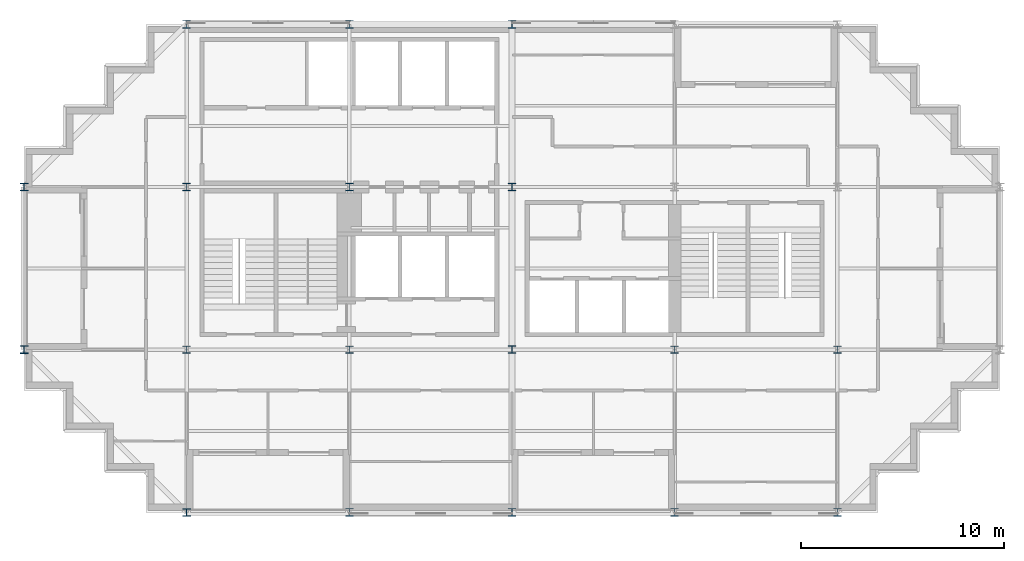
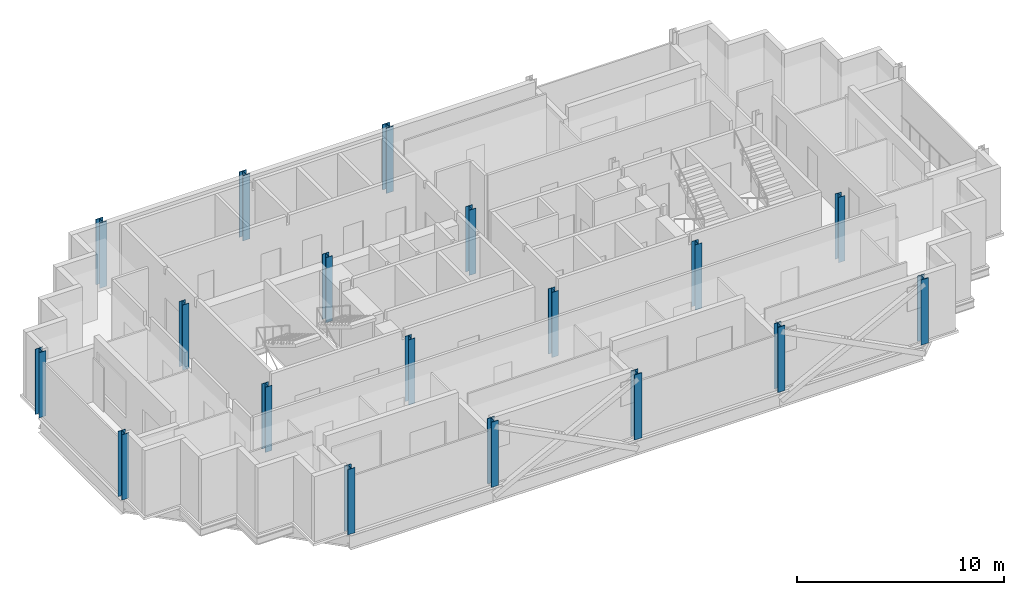
# One storey, part 1 of 9: 18 columns.
"""IFC4 building model written with IfcOpenShell, lengths in metres."""

from ifc_helpers import new_model, si_unit, direction, frame, origin, origin_2d, place, context, subcontext, project, spatial, i_section, extrude, material, material_profile, profile_set, type_object, element, save


model = new_model("IFC4")

# Units and contexts
model_context = context("Model", 3, precision=1e-05, world=origin(), true_north=direction((0.0, 1.0)))
body_context = subcontext(model_context, "Body", "Model", "MODEL_VIEW")
ifc_project = project(units=[si_unit("LENGTHUNIT", "METRE"), si_unit("AREAUNIT", "SQUARE_METRE"), si_unit("VOLUMEUNIT", "CUBIC_METRE"), si_unit("PLANEANGLEUNIT", "RADIAN"), si_unit("MASSUNIT", "GRAM", prefix="KILO")], contexts=[model_context])

# Site, building, storey
site_placement = place(None, origin())
site = spatial("IfcSite", under=ifc_project, at=site_placement, CompositionType="ELEMENT")
building_placement = place(site_placement, origin())
building = spatial("IfcBuilding", under=site, at=building_placement, Name="Immortelle Media Tower", CompositionType="ELEMENT")
storey_placement = place(building_placement, frame((0.0, 0.0, 247.0)))
storey = spatial("IfcBuildingStorey", under=building, at=storey_placement, Name="L53", CompositionType="ELEMENT", Elevation=247.0)

# Columns
ifc_material = material(Name="Steel ASTM A992 Gr 50", Category="steel")
ifc_material_profile_1 = material_profile(ifc_material, i_section(OverallWidth=0.373046875, OverallDepth=0.367919921875, WebThickness=0.014892578125, FlangeThickness=0.02392578125, at=origin_2d()), Name="W14x120")
ifc_profile_set_1 = profile_set([ifc_material_profile_1], Name="Steel ASTM A992 Gr 50")
column_type_1 = type_object("IfcColumnType", Name="W14x120 column", PredefinedType="COLUMN", material=ifc_profile_set_1)
for number, where, z_axis, x_axis, name in (
    (1, (24.0, 8.0, 0.0), (0.0, 0.0, 1.0), (1.0, 0.0, 0.0), "Column 4/B"),
    (2, (24.0, 16.0, 0.0), (0.0, 0.0, 1.0), (1.0, 0.0, 0.0), "Column 4/C"),
):
    element("IfcColumn", number, at=place(storey_placement, frame(where, z_axis=z_axis, x_axis=x_axis)), inside=storey, type_object=column_type_1, Name=name, PredefinedType="COLUMN", context=body_context, shape_type="SweptSolid", body=[
        extrude(i_section(OverallWidth=0.373046875, OverallDepth=0.367919921875, WebThickness=0.014892578125, FlangeThickness=0.02392578125, at=origin_2d()), origin(), (0.0, 0.0, 1.0), 3.85009765625),
    ])
ifc_material_profile_2 = material_profile(ifc_material, i_section(OverallWidth=0.39404296875, OverallDepth=0.3759765625, WebThickness=0.01708984375, FlangeThickness=0.028076171875, at=origin_2d()), Name="W14x145")
ifc_profile_set_2 = profile_set([ifc_material_profile_2], Name="Steel ASTM A992 Gr 50")
column_type_2 = type_object("IfcColumnType", Name="W14x145 column", PredefinedType="COLUMN", material=ifc_profile_set_2)
for number, where, z_axis, x_axis, name in (
    (3, (0.0, 8.0, 0.0), (0.0, 0.0, 1.0), (1.0, 0.0, 0.0), "Column 1/B"),
    (4, (0.0, 16.0, 0.0), (0.0, 0.0, 1.0), (1.0, 0.0, 0.0), "Column 1/C"),
    (5, (8.0, 0.0, 0.0), (0.0, 0.0, 1.0), (1.0, 0.0, 0.0), "Column 2/A"),
):
    element("IfcColumn", number, at=place(storey_placement, frame(where, z_axis=z_axis, x_axis=x_axis)), inside=storey, type_object=column_type_2, Name=name, PredefinedType="COLUMN", context=body_context, shape_type="SweptSolid", body=[
        extrude(i_section(OverallWidth=0.39404296875, OverallDepth=0.3759765625, WebThickness=0.01708984375, FlangeThickness=0.028076171875, at=origin_2d()), origin(), (0.0, 0.0, 1.0), 3.85009765625),
    ])
ifc_material_profile_3 = material_profile(ifc_material, i_section(OverallWidth=0.40087890625, OverallDepth=0.39892578125, WebThickness=0.02490234375, FlangeThickness=0.0400390625, at=origin_2d()), Name="W14x211")
ifc_profile_set_3 = profile_set([ifc_material_profile_3], Name="Steel ASTM A992 Gr 50")
column_type_3 = type_object("IfcColumnType", Name="W14x211 column", PredefinedType="COLUMN", material=ifc_profile_set_3)
for number, where, z_axis, x_axis, name in (
    (6, (8.0, 24.0, 0.0), (0.0, 0.0, 1.0), (1.0, 0.0, 0.0), "Column 2/D"),
    (7, (16.0, 0.0, 0.0), (0.0, 0.0, 1.0), (1.0, 0.0, 0.0), "Column 3/A"),
    (8, (16.0, 24.0, 0.0), (0.0, 0.0, 1.0), (1.0, 0.0, 0.0), "Column 3/D"),
    (9, (24.0, 0.0, 0.0), (0.0, 0.0, 1.0), (1.0, 0.0, 0.0), "Column 4/A"),
    (10, (24.0, 24.0, 0.0), (0.0, 0.0, 1.0), (1.0, 0.0, 0.0), "Column 4/D"),
    (11, (32.0, 0.0, 0.0), (0.0, 0.0, 1.0), (1.0, 0.0, 0.0), "Column 5/A"),
    (12, (40.0, 0.0, 0.0), (0.0, 0.0, 1.0), (1.0, 0.0, 0.0), "Column 6/A"),
):
    element("IfcColumn", number, at=place(storey_placement, frame(where, z_axis=z_axis, x_axis=x_axis)), inside=storey, type_object=column_type_3, Name=name, PredefinedType="COLUMN", context=body_context, shape_type="SweptSolid", body=[
        extrude(i_section(OverallWidth=0.40087890625, OverallDepth=0.39892578125, WebThickness=0.02490234375, FlangeThickness=0.0400390625, at=origin_2d()), origin(), (0.0, 0.0, 1.0), 3.85009765625),
    ])
ifc_material_profile_4 = material_profile(ifc_material, i_section(OverallWidth=0.37109375, OverallDepth=0.361083984375, WebThickness=0.011962890625, FlangeThickness=0.02001953125, at=origin_2d()), Name="W14x99")
ifc_profile_set_4 = profile_set([ifc_material_profile_4], Name="Steel ASTM A992 Gr 50")
column_type_4 = type_object("IfcColumnType", Name="W14x99 column", PredefinedType="COLUMN", material=ifc_profile_set_4)
for number, where, z_axis, x_axis, name in (
    (13, (8.0, 8.0, 0.0), (0.0, 0.0, 1.0), (1.0, 0.0, 0.0), "Column 2/B"),
    (14, (8.0, 16.0, 0.0), (0.0, 0.0, 1.0), (1.0, 0.0, 0.0), "Column 2/C"),
    (15, (16.0, 8.0, 0.0), (0.0, 0.0, 1.0), (1.0, 0.0, 0.0), "Column 3/B"),
    (16, (16.0, 16.0, 0.0), (0.0, 0.0, 1.0), (1.0, 0.0, 0.0), "Column 3/C"),
    (17, (32.0, 8.0, 0.0), (0.0, 0.0, 1.0), (1.0, 0.0, 0.0), "Column 5/B"),
    (18, (40.0, 8.0, 0.0), (0.0, 0.0, 1.0), (1.0, 0.0, 0.0), "Column 6/B"),
):
    element("IfcColumn", number, at=place(storey_placement, frame(where, z_axis=z_axis, x_axis=x_axis)), inside=storey, type_object=column_type_4, Name=name, PredefinedType="COLUMN", context=body_context, shape_type="SweptSolid", body=[
        extrude(i_section(OverallWidth=0.37109375, OverallDepth=0.361083984375, WebThickness=0.011962890625, FlangeThickness=0.02001953125, at=origin_2d()), origin(), (0.0, 0.0, 1.0), 3.85009765625),
    ])

save(model, "model.ifc")
